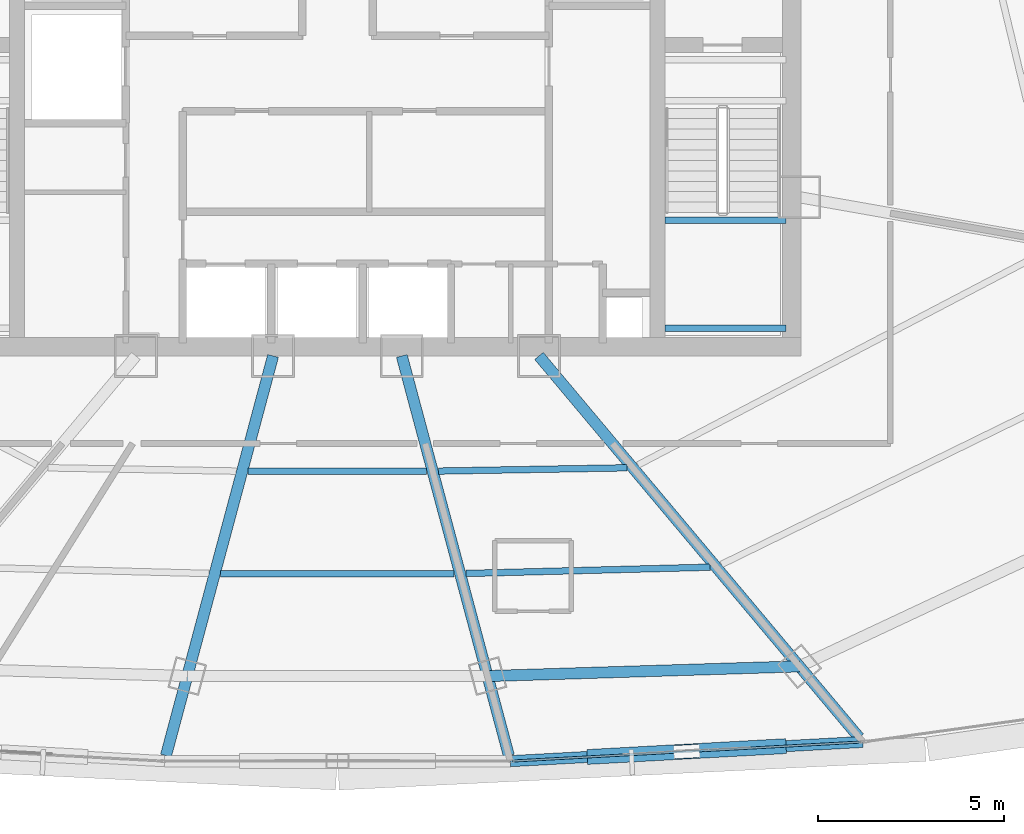
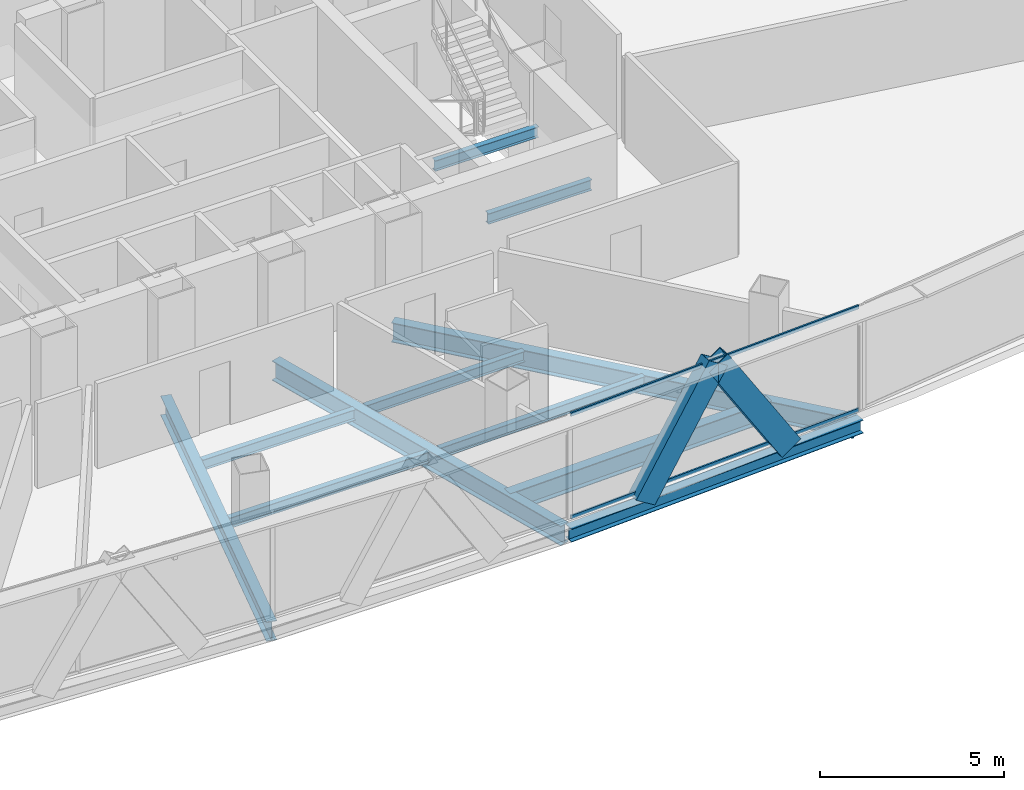
# One storey, part 11 of 36: 11 beams, 4 members, 1 element without a shape of its own.
"""IFC4 building model written with IfcOpenShell, lengths in metres."""

from ifc_helpers import new_model, si_unit, direction, frame, origin, origin_2d, place, context, subcontext, project, spatial, hollow_rectangle, i_section, extrude, source, transform, mapped, material, layer, layer_set, material_profile, profile_set, type_object, element, aggregate, save


model = new_model("IFC4")

# Units and contexts
model_context = context("Model", 3, precision=1e-05, world=origin(), true_north=direction((0.0, 1.0)))
body_context = subcontext(model_context, "Body", "Model", "MODEL_VIEW")
ifc_project = project(units=[si_unit("LENGTHUNIT", "METRE"), si_unit("AREAUNIT", "SQUARE_METRE"), si_unit("VOLUMEUNIT", "CUBIC_METRE"), si_unit("PLANEANGLEUNIT", "RADIAN"), si_unit("MASSUNIT", "GRAM", prefix="KILO"), si_unit("THERMODYNAMICTEMPERATUREUNIT", "KELVIN"), si_unit("POWERUNIT", "WATT")], contexts=[model_context])

# Site, building, storey
site_placement = place(None, origin())
site = spatial("IfcSite", under=ifc_project, at=site_placement, CompositionType="ELEMENT")
building_placement = place(site_placement, origin())
building = spatial("IfcBuilding", under=site, at=building_placement, Name="Yunzhuo Pagoda Commons", CompositionType="ELEMENT")
storey_placement = place(building_placement, frame((0.0, 0.0, 244.530029296875)))
storey = spatial("IfcBuildingStorey", under=building, at=storey_placement, Name="L61", CompositionType="ELEMENT", Elevation=244.530029296875)

# Beams
ifc_material_1 = material(Name="Structural steel Q355B", Category="steel")
ifc_material_profile_1 = material_profile(ifc_material_1, i_section(OverallWidth=0.175048828125, OverallDepth=0.35009765625, WebThickness=0.007080078125, FlangeThickness=0.010986328125, at=origin_2d()), Name="Structural steel Q355B")
ifc_profile_set_1 = profile_set([ifc_material_profile_1], Name="Structural steel Q355B")
beam_type_1 = type_object("IfcBeamType", Name="B-JS2 Joist HN 350x175x7x11", PredefinedType="JOIST", material=ifc_profile_set_1)
shared_shape_1 = source(origin(), body_context, "Body", "SweptSolid", [
    extrude(i_section(OverallWidth=0.175048828125, OverallDepth=0.35009765625, WebThickness=0.007080078125, FlangeThickness=0.010986328125, at=origin_2d()), origin(), (0.0, 0.0, 1.0), 3.25),
])
for number, where, z_axis, x_axis, name in (
    (1, (56.800048828125, 28.0, 1.490234375), (1.0, 0.0, 0.0), (0.0, 1.0, 0.0), "L61 ST2 landing support beam 67A"),
    (2, (56.800048828125, 30.89990234375, 1.490234375), (1.0, 0.0, 0.0), (0.0, 1.0, 0.0), "L61 ST2 landing support beam 67B"),
):
    element("IfcBeam", number, at=place(storey_placement, frame(where, z_axis=z_axis, x_axis=x_axis)), inside=storey, type_object=beam_type_1, Name=name, PredefinedType="JOIST", context=body_context, shape_type="MappedRepresentation", body=[
        mapped(shared_shape_1, transform((0.0, 0.0, 0.0), scale=1.0)),
    ])
ifc_material_profile_2 = material_profile(ifc_material_1, i_section(OverallWidth=0.300048828125, OverallDepth=0.64990234375, WebThickness=0.012939453125, FlangeThickness=0.02197265625, at=origin_2d()), Name="Structural steel Q355B")
ifc_profile_set_2 = profile_set([ifc_material_profile_2], Name="Structural steel Q355B")
beam_type_2 = type_object("IfcBeamType", Name="B-RG2 Beam HN 650x300x13x22", PredefinedType="BEAM", material=ifc_profile_set_2)
shared_shape_2 = source(origin(), body_context, "Body", "SweptSolid", [
    extrude(i_section(OverallWidth=0.300048828125, OverallDepth=0.64990234375, WebThickness=0.012939453125, FlangeThickness=0.02197265625, at=origin_2d()), origin(), (0.0, 0.0, 1.0), 8.37939453125),
])
beam_1_placement = place(storey_placement, frame((52.031494140625, 18.654052734375, -0.5849609375), z_axis=(0.999519382133, 0.031000076447, 0.0), x_axis=(-0.031000076447, 0.999519382133, 0.0)))
element("IfcBeam", 3, at=beam_1_placement, inside=storey, type_object=beam_type_2, Name="L61 column-ring beam 3", PredefinedType="BEAM", context=body_context, shape_type="MappedRepresentation", body=[
    mapped(shared_shape_2, transform((0.0, 0.0, 0.0), scale=1.0)),
])
shared_shape_3 = source(origin(), body_context, "Body", "SweptSolid", [
    extrude(i_section(OverallWidth=0.175048828125, OverallDepth=0.35009765625, WebThickness=0.007080078125, FlangeThickness=0.010986328125, at=origin_2d()), origin(), (0.0, 0.0, 1.0), 5.0556640625),
])
beam_2_placement = place(storey_placement, frame((50.716552734375, 24.158203125, -0.43505859375), z_axis=(0.999848878561, 0.017384477, 0.0), x_axis=(-0.017384477, 0.999848878561, 0.0)))
element("IfcBeam", 4, at=beam_2_placement, inside=storey, type_object=beam_type_1, Name="L61 composite ring joist 1.3", PredefinedType="JOIST", context=body_context, shape_type="MappedRepresentation", body=[
    mapped(shared_shape_3, transform((0.0, 0.0, 0.0), scale=1.0)),
])
shared_shape_4 = source(origin(), body_context, "Body", "SweptSolid", [
    extrude(i_section(OverallWidth=0.175048828125, OverallDepth=0.35009765625, WebThickness=0.007080078125, FlangeThickness=0.010986328125, at=origin_2d()), origin(), (0.0, 0.0, 1.0), 6.558349609375),
])
beam_3_placement = place(storey_placement, frame((51.45361328125, 21.40869140625, -0.43505859375), z_axis=(0.99966910323, 0.025723220017, 0.0), x_axis=(-0.025723220017, 0.99966910323, 0.0)))
element("IfcBeam", 5, at=beam_3_placement, inside=storey, type_object=beam_type_1, Name="L61 composite ring joist 2.3", PredefinedType="JOIST", context=body_context, shape_type="MappedRepresentation", body=[
    mapped(shared_shape_4, transform((0.0, 0.0, 0.0), scale=1.0)),
])
shared_shape_5 = source(origin(), body_context, "Body", "SweptSolid", [
    extrude(i_section(OverallWidth=0.175048828125, OverallDepth=0.35009765625, WebThickness=0.007080078125, FlangeThickness=0.010986328125, at=origin_2d()), origin(), (0.0, 0.0, 1.0), 4.796875),
])
beam_4_placement = place(storey_placement, frame((45.601806640625, 24.155517578125, -0.43505859375), z_axis=(1.0, 0.0, 0.0), x_axis=(0.0, 1.0, 0.0)))
element("IfcBeam", 6, at=beam_4_placement, inside=storey, type_object=beam_type_1, Name="L61 composite ring joist 1.2", PredefinedType="JOIST", context=body_context, shape_type="MappedRepresentation", body=[
    mapped(shared_shape_5, transform((0.0, 0.0, 0.0), scale=1.0)),
])
shared_shape_6 = source(origin(), body_context, "Body", "SweptSolid", [
    extrude(i_section(OverallWidth=0.175048828125, OverallDepth=0.35009765625, WebThickness=0.007080078125, FlangeThickness=0.010986328125, at=origin_2d()), origin(), (0.0, 0.0, 1.0), 6.27099609375),
])
beam_5_placement = place(storey_placement, frame((44.864501953125, 21.40478515625, -0.43505859375), z_axis=(1.0, 0.0, 0.0), x_axis=(0.0, 1.0, 0.0)))
element("IfcBeam", 7, at=beam_5_placement, inside=storey, type_object=beam_type_1, Name="L61 composite ring joist 2.2", PredefinedType="JOIST", context=body_context, shape_type="MappedRepresentation", body=[
    mapped(shared_shape_6, transform((0.0, 0.0, 0.0), scale=1.0)),
])
shared_shape_7 = source(origin(), body_context, "Body", "SweptSolid", [
    extrude(i_section(OverallWidth=0.300048828125, OverallDepth=0.64990234375, WebThickness=0.012939453125, FlangeThickness=0.02197265625, at=origin_2d()), origin(), (0.0, 0.0, 1.0), 11.110107421875),
])
beam_6_placement = place(storey_placement, frame((43.396240234375, 16.5185546875, -0.5849609375), z_axis=(0.258840066388, 0.965920193407, 0.0), x_axis=(-0.965920193407, 0.258840066388, 0.0)))
element("IfcBeam", 8, at=beam_6_placement, inside=storey, type_object=beam_type_2, Name="L61 radial floor girder F1C2", PredefinedType="BEAM", context=body_context, shape_type="MappedRepresentation", body=[
    mapped(shared_shape_7, transform((0.0, 0.0, 0.0), scale=1.0)),
])
shared_shape_8 = source(origin(), body_context, "Body", "SweptSolid", [
    extrude(i_section(OverallWidth=0.300048828125, OverallDepth=0.64990234375, WebThickness=0.012939453125, FlangeThickness=0.02197265625, at=origin_2d()), origin(), (0.0, 0.0, 1.0), 11.10986328125),
])
beam_7_placement = place(storey_placement, frame((52.603759765625, 16.5185546875, -0.5849609375), z_axis=(-0.258799060806, 0.965931180844, 0.0), x_axis=(-0.965931180844, -0.258799060806, 0.0)))
element("IfcBeam", 9, at=beam_7_placement, inside=storey, type_object=beam_type_2, Name="L61 radial floor girder F1C3", PredefinedType="BEAM", context=body_context, shape_type="MappedRepresentation", body=[
    mapped(shared_shape_8, transform((0.0, 0.0, 0.0), scale=1.0)),
])
shared_shape_9 = source(origin(), body_context, "Body", "SweptSolid", [
    extrude(i_section(OverallWidth=0.300048828125, OverallDepth=0.64990234375, WebThickness=0.012939453125, FlangeThickness=0.02197265625, at=origin_2d()), origin(), (0.0, 0.0, 1.0), 13.37548828125),
])
beam_8_placement = place(storey_placement, frame((62.009765625, 17.00390625, -0.5849609375), z_axis=(-0.642794750623, 0.766038451105, 0.0), x_axis=(-0.766038451105, -0.642794750623, 0.0)))
element("IfcBeam", 10, at=beam_8_placement, inside=storey, type_object=beam_type_2, Name="L61 radial floor girder F1C4", PredefinedType="BEAM", context=body_context, shape_type="MappedRepresentation", body=[
    mapped(shared_shape_9, transform((0.0, 0.0, 0.0), scale=1.0)),
])
ifc_material_profile_3 = material_profile(ifc_material_1, i_section(OverallWidth=0.300048828125, OverallDepth=0.43994140625, WebThickness=0.010986328125, FlangeThickness=0.01806640625, at=origin_2d()), Name="Structural steel Q355B")
ifc_profile_set_3 = profile_set([ifc_material_profile_3], Name="Structural steel Q355B")
beam_type_3 = type_object("IfcBeamType", Name="B-SP2 Beam HM 440x300x11x18", PredefinedType="BEAM", material=ifc_profile_set_3)
shared_shape_10 = source(origin(), body_context, "Body", "SweptSolid", [
    extrude(i_section(OverallWidth=0.300048828125, OverallDepth=0.43994140625, WebThickness=0.010986328125, FlangeThickness=0.01806640625, at=origin_2d()), origin(), (0.0, 0.0, 1.0), 9.4794921875),
])
beam_9_placement = place(storey_placement, frame((52.643798828125, 16.36865234375, -0.47998046875), z_axis=(0.998513924763, 0.054497174743, 0.0), x_axis=(-0.054497174743, 0.998513924763, 0.0)))
element("IfcBeam", 11, at=beam_9_placement, inside=storey, type_object=beam_type_3, Name="L61 facade edge spandrel beam F1.3", PredefinedType="BEAM", context=body_context, shape_type="MappedRepresentation", body=[
    mapped(shared_shape_10, transform((0.0, 0.0, 0.0), scale=1.0)),
])

# Members
ifc_material_profile_4 = material_profile(ifc_material_1, hollow_rectangle(XDim=0.39990234375, YDim=0.719970703125, WallThickness=0.02392578125, at=origin_2d()), Name="Structural steel Q355B")
ifc_profile_set_4 = profile_set([ifc_material_profile_4], Name="Structural steel Q355B")
member_type_1 = type_object("IfcMemberType", Name="M-DL2 Brace BOX 720x400x24", PredefinedType="BRACE", material=ifc_profile_set_4)
shared_shape_11 = source(origin(), body_context, "Body", "SweptSolid", [
    extrude(hollow_rectangle(XDim=0.39990234375, YDim=0.719970703125, WallThickness=0.02392578125, at=origin_2d()), origin(), (0.0, 0.0, 1.0), 4.4189453125),
])
for number, where, z_axis, x_axis, name in (
    (12, (55.01025390625, 16.497802734375, -0.259765625), (0.535516019505, 0.02922603676, 0.844019212832), (-0.05449437193, 0.998514077731, 0.0), "L61 facade diamond brace F1.3L"),
    (13, (59.742919921875, 16.75634765625, -0.259765625), (-0.535475748359, -0.029282103449, 0.844042819611), (0.054602695503, -0.998508160029, 0.0), "L61 facade diamond brace F1.3R"),
):
    element("IfcMember", number, at=place(storey_placement, frame(where, z_axis=z_axis, x_axis=x_axis)), inside=storey, type_object=member_type_1, Name=name, PredefinedType="BRACE", context=body_context, shape_type="MappedRepresentation", body=[
        mapped(shared_shape_11, transform((0.0, 0.0, 0.0), scale=1.0)),
    ])

# Curtain wall, members
ifc_material_2 = material(Name="Anodized aluminium 6063-T6", Category="aluminium")
ifc_layer = layer(ifc_material_2, 0.139892578125)
ifc_layer_set = layer_set([ifc_layer], Name="Anodized aluminium 6063-T6")
curtain_wall_type = type_object("IfcCurtainWallType", Name="CW-HI High-Zone Ribbon Curtain Wall", PredefinedType="NOTDEFINED", material=ifc_layer_set)
curtain_wall_placement = place(storey_placement, origin())
curtain_wall = element("IfcCurtainWall", 14, at=curtain_wall_placement, inside=storey, type_object=curtain_wall_type, Name="L61 curtain wall CW-L61-F1B4", PredefinedType="NOTDEFINED")
ifc_material_profile_5 = material_profile(ifc_material_2, hollow_rectangle(XDim=0.054931640625, YDim=0.1201171875, WallThickness=0.00341796875, at=origin_2d()), Name="Anodized aluminium 6063-T6")
ifc_profile_set_5 = profile_set([ifc_material_profile_5], Name="Anodized aluminium 6063-T6")
member_type_2 = type_object("IfcMemberType", Name="CW-HI-T Transom RHS 120x55x3.5", PredefinedType="USERDEFINED", material=ifc_profile_set_5)
shared_shape_12 = source(origin(), body_context, "Body", "SweptSolid", [
    extrude(hollow_rectangle(XDim=0.054931640625, YDim=0.1201171875, WallThickness=0.00341796875, at=origin_2d()), origin(), (0.0, 0.0, 1.0), 9.359375),
])
member_1_placement = place(storey_placement, frame((52.703857421875, 16.3720703125, 0.027587890625), z_axis=(0.998514211569, 0.054491919537, 0.0), x_axis=(-0.054491919537, 0.998514211569, 0.0)))
member_1 = element("IfcMember", 15, at=member_1_placement, type_object=member_type_2, Name="CW transom 1.1", ObjectType="TRANSOM", PredefinedType="USERDEFINED", context=body_context, shape_type="MappedRepresentation", body=[
    mapped(shared_shape_12, transform((0.0, 0.0, 0.0), scale=1.0)),
])
member_2_placement = place(storey_placement, frame((52.703857421875, 16.3720703125, 3.4423828125), z_axis=(0.998514211569, 0.054491919537, 0.0), x_axis=(-0.054491919537, 0.998514211569, 0.0)))
member_2 = element("IfcMember", 16, at=member_2_placement, type_object=member_type_2, Name="CW transom 1.2", ObjectType="TRANSOM", PredefinedType="USERDEFINED", context=body_context, shape_type="MappedRepresentation", body=[
    mapped(shared_shape_12, transform((0.0, 0.0, 0.0), scale=1.0)),
])
aggregate(curtain_wall, [member_1, member_2])

save(model, "model.ifc")
